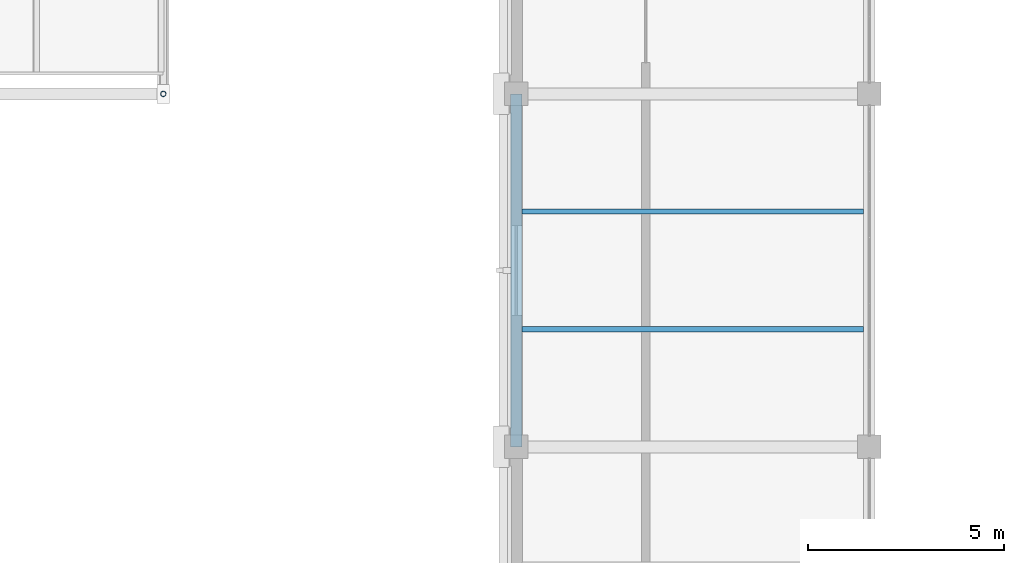
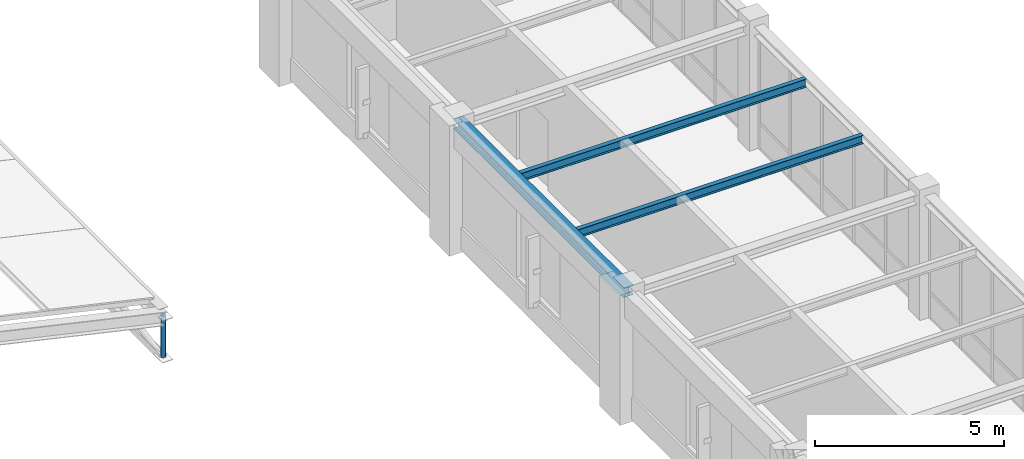
# One storey, part 55 of 130: 3 beams, 1 member.
"""IFC4 building model written with IfcOpenShell, lengths in metres."""

from ifc_helpers import new_model, si_unit, direction, frame, origin, origin_2d, place, context, subcontext, project, spatial, hollow_circle, i_section, extrude, material, material_profile, profile_set, type_object, element, save


model = new_model("IFC4")

# Units and contexts
model_context = context("Model", 3, precision=1e-05, world=origin(), true_north=direction((0.0, 1.0)))
body_context = subcontext(model_context, "Body", "Model", "MODEL_VIEW")
ifc_project = project(units=[si_unit("LENGTHUNIT", "METRE"), si_unit("AREAUNIT", "SQUARE_METRE"), si_unit("VOLUMEUNIT", "CUBIC_METRE"), si_unit("PLANEANGLEUNIT", "RADIAN"), si_unit("MASSUNIT", "GRAM", prefix="KILO")], contexts=[model_context])

# Site, building, storey
site_placement = place(None, origin())
site = spatial("IfcSite", under=ifc_project, at=site_placement, CompositionType="ELEMENT")
building_placement = place(site_placement, origin())
building = spatial("IfcBuilding", under=site, at=building_placement, Name="Lykobir Media Centre", CompositionType="ELEMENT")
storey_placement = place(building_placement, frame((0.0, 0.0, 19.199951171875)))
storey = spatial("IfcBuildingStorey", under=building, at=storey_placement, Name="L04", CompositionType="ELEMENT", Elevation=19.199951171875)

# Member
ifc_material = material(Name="Steel S355", Category="steel")
ifc_material_profile_1 = material_profile(ifc_material, hollow_circle(Radius=0.06982421875, WallThickness=0.008056640625, at=origin_2d()), Name="CHS 139.7x8.0")
ifc_profile_set_1 = profile_set([ifc_material_profile_1], Name="Steel S355")
member_type = type_object("IfcMemberType", Name="BR-CHS140-E", PredefinedType="BRACE", material=ifc_profile_set_1)
member_placement = place(storey_placement, frame((81.0, 63.0, 0.739990234375), z_axis=(0.0, 0.0, -1.0), x_axis=(1.0, 0.0, 0.0)))
element("IfcMember", 1, at=member_placement, inside=storey, type_object=member_type, Name="Diagonal brace MEM2-L04-0810-0630-0199-0810-0630-0498", PredefinedType="BRACE", context=body_context, shape_type="SweptSolid", body=[
    extrude(hollow_circle(Radius=0.06982421875, WallThickness=0.008056640625, at=origin_2d()), origin(), (0.0, 0.0, 1.0), 1.349853515625),
])

# Beams
ifc_material_profile_2 = material_profile(ifc_material, i_section(OverallWidth=0.135009765625, OverallDepth=0.27001953125, WebThickness=0.006591796875, FlangeThickness=0.01025390625, at=origin_2d()), Name="IPE 270")
ifc_profile_set_2 = profile_set([ifc_material_profile_2], Name="Steel S355")
beam_type_1 = type_object("IfcBeamType", Name="JS-IPE270", PredefinedType="JOIST", material=ifc_profile_set_2)
for number, where, z_axis, x_axis, name in (
    (2, (90.14990234375, 57.0, 3.824951171875), (1.0, 0.0, 0.0), (0.0, 1.0, 0.0), "Beam BM-L04-0902-0570-0988-0570-2302"),
    (3, (90.14990234375, 60.0, 3.824951171875), (1.0, 0.0, 0.0), (0.0, 1.0, 0.0), "Beam BM-L04-0902-0600-0988-0600-2302"),
):
    element("IfcBeam", number, at=place(storey_placement, frame(where, z_axis=z_axis, x_axis=x_axis)), inside=storey, type_object=beam_type_1, Name=name, PredefinedType="JOIST", context=body_context, shape_type="SweptSolid", body=[
        extrude(i_section(OverallWidth=0.135009765625, OverallDepth=0.27001953125, WebThickness=0.006591796875, FlangeThickness=0.01025390625, at=origin_2d()), origin(), (0.0, 0.0, 1.0), 8.7001953125),
    ])
ifc_material_profile_3 = material_profile(ifc_material, i_section(OverallWidth=0.300048828125, OverallDepth=0.31005859375, WebThickness=0.009033203125, FlangeThickness=0.015380859375, at=origin_2d()), Name="HEA 320")
ifc_profile_set_3 = profile_set([ifc_material_profile_3], Name="Steel S355")
beam_type_2 = type_object("IfcBeamType", Name="SP-HEA320-E", PredefinedType="SPANDREL", material=ifc_profile_set_3)
beam_placement = place(storey_placement, frame((90.0, 54.0, 3.804931640625), z_axis=(0.0, 1.0, 0.0), x_axis=(-1.0, 0.0, 0.0)))
element("IfcBeam", 4, at=beam_placement, inside=storey, type_object=beam_type_2, Name="Beam BM-L04-0900-0540-0900-0630-2300", PredefinedType="SPANDREL", context=body_context, shape_type="SweptSolid", body=[
    extrude(i_section(OverallWidth=0.300048828125, OverallDepth=0.31005859375, WebThickness=0.009033203125, FlangeThickness=0.015380859375, at=origin_2d()), origin(), (0.0, 0.0, 1.0), 9.0),
])

save(model, "model.ifc")
